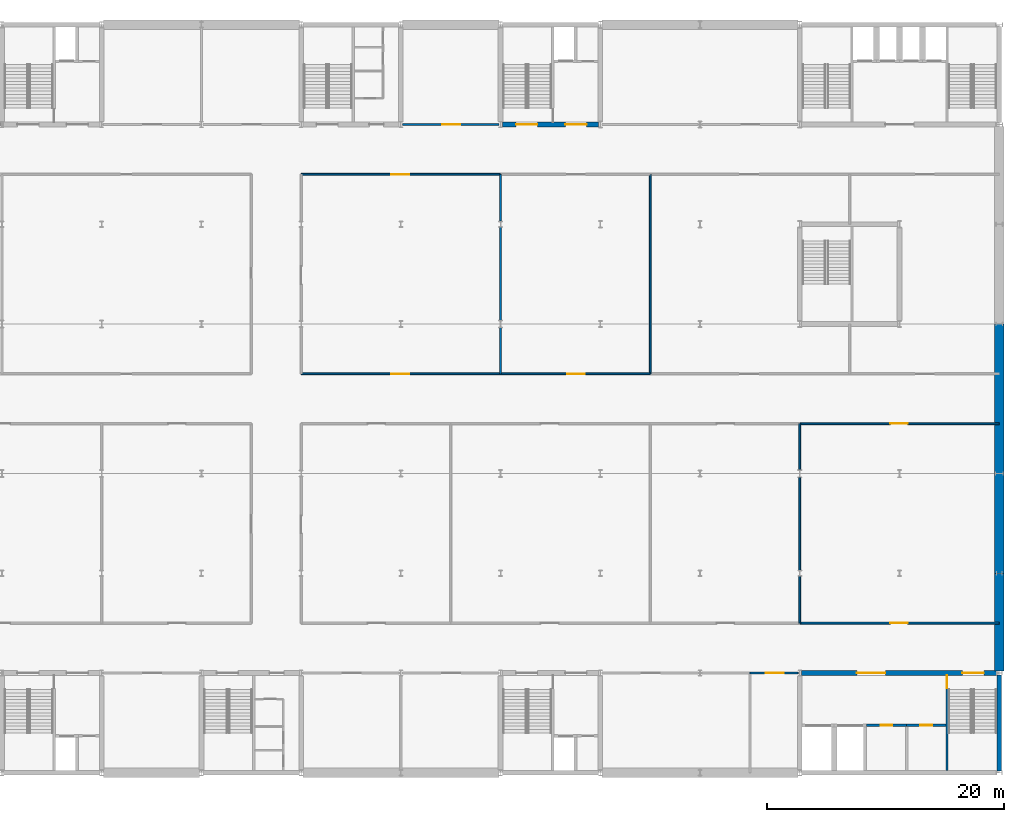
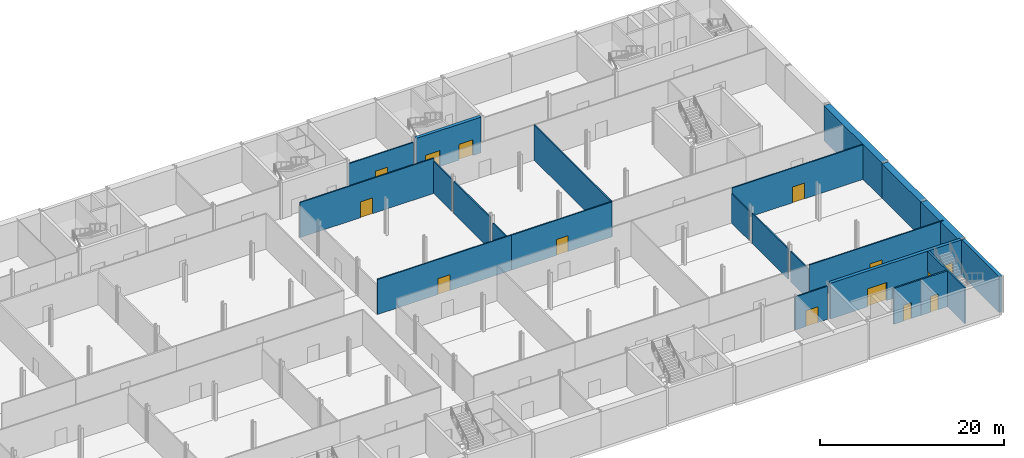
# One storey, part 15 of 20: 23 walls, 14 doors, 14 openings.
"""IFC4 building model written with IfcOpenShell, lengths in metres."""

from ifc_helpers import new_model, si_unit, direction, frame, frame_2d, origin, place, context, subcontext, project, spatial, rectangle, extrude, material, layer, layer_set, type_object, element, fill, save


model = new_model("IFC4")

# Units and contexts
model_context = context("Model", 3, precision=1e-05, world=origin(), true_north=direction((0.0, 1.0)))
body_context = subcontext(model_context, "Body", "Model", "MODEL_VIEW")
ifc_project = project(units=[si_unit("LENGTHUNIT", "METRE"), si_unit("AREAUNIT", "SQUARE_METRE"), si_unit("VOLUMEUNIT", "CUBIC_METRE"), si_unit("PLANEANGLEUNIT", "RADIAN"), si_unit("MASSUNIT", "GRAM", prefix="KILO")], contexts=[model_context])

# Site, building, storey
site_placement = place(None, origin())
site = spatial("IfcSite", under=ifc_project, at=site_placement, CompositionType="ELEMENT")
building_placement = place(site_placement, origin())
building = spatial("IfcBuilding", under=site, at=building_placement, Name="Galleria Vessillo Department Store", CompositionType="ELEMENT")
storey_placement = place(building_placement, frame((0.0, 0.0, -4.89990234375)))
storey = spatial("IfcBuildingStorey", under=building, at=storey_placement, Name="B1", CompositionType="ELEMENT", Elevation=-4.89990234375)

# Walls
ifc_material_1 = material(Name="Concrete C32/40 reinforced", Category="concrete")
ifc_layer_1 = layer(ifc_material_1, 0.800048828125)
ifc_layer_set_1 = layer_set([ifc_layer_1], Name="Concrete C32/40 reinforced")
wall_type_1 = type_object("IfcWallType", Name="Diaphragm wall 800 mm", PredefinedType="SOLIDWALL", material=ifc_layer_set_1)
wall_1_placement = place(storey_placement, frame((117.60009765625, 8.5498046875, 0.0), z_axis=(0.0, 0.0, 1.0), x_axis=(0.0, 1.0, 0.0)))
element("IfcWall", 1, at=wall_1_placement, inside=storey, type_object=wall_type_1, Name="S-BW-E-B1-01", PredefinedType="SOLIDWALL", context=body_context, shape_type="SweptSolid", body=[
    extrude(rectangle(XDim=8.250244140625, YDim=0.800048828125, at=frame_2d((4.125, 0.0))), origin(), (0.0, 0.0, 1.0), 4.599853515625),
])
wall_2_placement = place(storey_placement, frame((117.60009765625, 16.800048828125, 0.0), z_axis=(0.0, 0.0, 1.0), x_axis=(0.0, 1.0, 0.0)))
element("IfcWall", 2, at=wall_2_placement, inside=storey, type_object=wall_type_1, Name="S-BW-E-B1-02", PredefinedType="SOLIDWALL", context=body_context, shape_type="SweptSolid", body=[
    extrude(rectangle(XDim=8.39990234375, YDim=0.800048828125, at=frame_2d((4.199951171875, 0.0))), origin(), (0.0, 0.0, 1.0), 4.599853515625),
])
wall_3_placement = place(storey_placement, frame((117.60009765625, 25.199951171875, 0.0), z_axis=(0.0, 0.0, 1.0), x_axis=(0.0, 1.0, 0.0)))
element("IfcWall", 3, at=wall_3_placement, inside=storey, type_object=wall_type_1, Name="S-BW-E-B1-03", PredefinedType="SOLIDWALL", context=body_context, shape_type="SweptSolid", body=[
    extrude(rectangle(XDim=12.60009765625, YDim=0.800048828125, at=frame_2d((6.300048828125, 0.0))), origin(), (0.0, 0.0, 1.0), 4.64990234375),
])

# Wall, openings, doors
ifc_material_2 = material(Name="Concrete C32/40 reinforced", Category="concrete")
ifc_layer_2 = layer(ifc_material_2, 0.39990234375)
ifc_layer_set_2 = layer_set([ifc_layer_2], Name="Concrete C32/40 reinforced")
wall_type_2 = type_object("IfcWallType", Name="Reinforced concrete core wall 400 mm", PredefinedType="SHEAR", material=ifc_layer_set_2)
wall_4_placement = place(storey_placement, frame((75.75, 54.60009765625, 0.0), z_axis=(0.0, 0.0, 1.0), x_axis=(1.0, 0.0, 0.0)))
wall_4 = element("IfcWall", 4, at=wall_4_placement, inside=storey, type_object=wall_type_2, Name="S-CW-PC-NE-INTERIOR-B1", PredefinedType="SHEAR", context=body_context, shape_type="SweptSolid", body=[
    extrude(rectangle(XDim=8.096923828125, YDim=0.39990234375, at=frame_2d((4.04833984375, 0.0))), origin(), (0.0, 0.0, 1.0), 4.75),
])
opening_1_placement = place(wall_4_placement, frame((1.14990234375, 0.0, 0.0)))
opening_1 = element("IfcOpeningElement", 5, at=opening_1_placement, cuts=wall_4, Name="Opening D5164", PredefinedType="OPENING", context=body_context, shape_type="SweptSolid", body=[
    extrude(rectangle(XDim=1.800048828125, YDim=2.10009765625, at=frame_2d((0.89990234375, 1.050048828125))), frame((0.0, 0.2099609375, 0.0), z_axis=(0.0, -1.0, 0.0), x_axis=(1.0, 0.0, 0.0)), (0.0, 0.0, 1.0), 0.419921875),
])
opening_2_placement = place(wall_4_placement, frame((5.2998046875, 0.0, 0.0)))
opening_2 = element("IfcOpeningElement", 6, at=opening_2_placement, cuts=wall_4, Name="Opening D5165", PredefinedType="OPENING", context=body_context, shape_type="SweptSolid", body=[
    extrude(rectangle(XDim=1.800048828125, YDim=2.10009765625, at=frame_2d((0.89990234375, 1.050048828125))), frame((0.0, 0.2099609375, 0.0), z_axis=(0.0, -1.0, 0.0), x_axis=(1.0, 0.0, 0.0)), (0.0, 0.0, 1.0), 0.419921875),
])
ifc_material_3 = material(Name="Fire-rated steel door leaf", Category="steel")
door_type_1 = type_object("IfcDoorType", Name="Door D180F double leaf 1800 x 2100", OperationType="DOUBLE_DOOR_SINGLE_SWING", PredefinedType="DOOR", material=ifc_material_3)
door_1_placement = place(opening_1_placement, origin())
door_1 = element("IfcDoor", 7, at=door_1_placement, inside=storey, type_object=door_type_1, Name="Lobby door PC-NE-ST-FLOOR B1", OperationType="DOUBLE_DOOR_SINGLE_SWING", OverallHeight=2.10009765625, OverallWidth=1.800048828125, PredefinedType="DOOR", context=body_context, shape_type="SweptSolid", body=[
    extrude(rectangle(XDim=1.800048828125, YDim=2.10009765625, at=frame_2d((0.89990234375, 1.050048828125))), frame((0.0, 0.02490234375, 0.0), z_axis=(0.0, -1.0, 0.0), x_axis=(1.0, 0.0, 0.0)), (0.0, 0.0, 1.0), 0.050048828125),
])
fill(opening_1, door_1)
door_2_placement = place(opening_2_placement, frame((1.800048828125, 0.0, 0.0), z_axis=(0.0, 0.0, 1.0), x_axis=(-1.0, 0.0, 0.0)))
door_2 = element("IfcDoor", 8, at=door_2_placement, inside=storey, type_object=door_type_1, Name="Lobby door PC-NE-LOBBY-FLOOR B1", OperationType="DOUBLE_DOOR_SINGLE_SWING", OverallHeight=2.10009765625, OverallWidth=1.800048828125, PredefinedType="DOOR", context=body_context, shape_type="SweptSolid", body=[
    extrude(rectangle(XDim=1.800048828125, YDim=2.10009765625, at=frame_2d((0.89990234375, 1.050048828125))), frame((0.0, 0.02490234375, 0.0), z_axis=(0.0, -1.0, 0.0), x_axis=(1.0, 0.0, 0.0)), (0.0, 0.0, 1.0), 0.050048828125),
])
fill(opening_2, door_2)

wall_5_placement = place(storey_placement, frame((100.949951171875, 8.39990234375, 0.0), z_axis=(0.0, 0.0, 1.0), x_axis=(1.0, 0.0, 0.0)))
wall_5 = element("IfcWall", 9, at=wall_5_placement, inside=storey, type_object=wall_type_2, Name="S-CW-GC-INTERIOR-B1", PredefinedType="SHEAR", context=body_context, shape_type="SweptSolid", body=[
    extrude(rectangle(XDim=16.400146484375, YDim=0.39990234375, at=frame_2d((8.2001953125, 0.0))), origin(), (0.0, 0.0, 1.0), 4.75),
])
opening_3_placement = place(wall_5_placement, frame((13.5498046875, 0.0, 0.0)))
opening_3 = element("IfcOpeningElement", 10, at=opening_3_placement, cuts=wall_5, Name="Opening D5227", PredefinedType="OPENING", context=body_context, shape_type="SweptSolid", body=[
    extrude(rectangle(XDim=1.800048828125, YDim=2.10009765625, at=frame_2d((0.89990234375, 1.050048828125))), frame((0.0, 0.2099609375, 0.0), z_axis=(0.0, -1.0, 0.0), x_axis=(1.0, 0.0, 0.0)), (0.0, 0.0, 1.0), 0.419921875),
])
opening_4_placement = place(wall_5_placement, frame((4.64990234375, 0.0, 0.0)))
opening_4 = element("IfcOpeningElement", 11, at=opening_4_placement, cuts=wall_5, Name="Opening D5228", PredefinedType="OPENING", context=body_context, shape_type="SweptSolid", body=[
    extrude(rectangle(XDim=2.39990234375, YDim=2.39990234375, at=frame_2d((1.199951171875, 1.199951171875))), frame((0.0, 0.2099609375, 0.0), z_axis=(0.0, -1.0, 0.0), x_axis=(1.0, 0.0, 0.0)), (0.0, 0.0, 1.0), 0.419921875),
])
door_3_placement = place(opening_3_placement, frame((1.800048828125, 0.0, 0.0), z_axis=(0.0, 0.0, 1.0), x_axis=(-1.0, 0.0, 0.0)))
door_3 = element("IfcDoor", 12, at=door_3_placement, inside=storey, type_object=door_type_1, Name="Lobby door GC-ST7-FLOOR B1", OperationType="DOUBLE_DOOR_SINGLE_SWING", OverallHeight=2.10009765625, OverallWidth=1.800048828125, PredefinedType="DOOR", context=body_context, shape_type="SweptSolid", body=[
    extrude(rectangle(XDim=1.800048828125, YDim=2.10009765625, at=frame_2d((0.89990234375, 1.050048828125))), frame((0.0, 0.02490234375, 0.0), z_axis=(0.0, -1.0, 0.0), x_axis=(1.0, 0.0, 0.0)), (0.0, 0.0, 1.0), 0.050048828125),
])
fill(opening_3, door_3)
ifc_material_4 = material(Name="Fire-rated steel door leaf", Category="steel")
door_type_2 = type_object("IfcDoorType", Name="Door D240F double leaf 2400 x 2400", OperationType="DOUBLE_DOOR_SINGLE_SWING", PredefinedType="DOOR", material=ifc_material_4)
door_4_placement = place(opening_4_placement, origin())
door_4 = element("IfcDoor", 13, at=door_4_placement, inside=storey, type_object=door_type_2, Name="Lobby door GC-DOCK B1", OperationType="DOUBLE_DOOR_SINGLE_SWING", OverallHeight=2.39990234375, OverallWidth=2.39990234375, PredefinedType="DOOR", context=body_context, shape_type="SweptSolid", body=[
    extrude(rectangle(XDim=2.39990234375, YDim=2.39990234375, at=frame_2d((1.199951171875, 1.199951171875))), frame((0.0, 0.02490234375, 0.0), z_axis=(0.0, -1.0, 0.0), x_axis=(1.0, 0.0, 0.0)), (0.0, 0.0, 1.0), 0.050048828125),
])
fill(opening_4, door_4)

# Wall
ifc_material_5 = material(Name="Concrete C32/40 reinforced", Category="concrete")
ifc_layer_3 = layer(ifc_material_5, 0.39990234375)
ifc_layer_set_3 = layer_set([ifc_layer_3], Name="Concrete C32/40 reinforced")
wall_type_3 = type_object("IfcWallType", Name="Reinforced concrete core wall 400 mm, external", PredefinedType="SHEAR", material=ifc_layer_set_3)
wall_6_placement = place(storey_placement, frame((117.60009765625, 0.14990234375, 0.0), z_axis=(0.0, 0.0, 1.0), x_axis=(0.0, 1.0, 0.0)))
element("IfcWall", 14, at=wall_6_placement, inside=storey, type_object=wall_type_3, Name="S-CW-GC-EAST-B1", PredefinedType="SHEAR", context=body_context, shape_type="SweptSolid", body=[
    extrude(rectangle(XDim=8.10009765625, YDim=0.39990234375, at=frame_2d((4.050048828125, 0.0))), origin(), (0.0, 0.0, 1.0), 4.75),
])

# Wall, opening, door
ifc_material_6 = material(Name="Concrete C32/40 reinforced", Category="concrete")
ifc_layer_4 = layer(ifc_material_6, 0.199951171875)
ifc_layer_set_4 = layer_set([ifc_layer_4], Name="Concrete C32/40 reinforced")
wall_type_4 = type_object("IfcWallType", Name="Reinforced concrete stair enclosure wall 200 mm", PredefinedType="SHEAR", material=ifc_layer_set_4)
wall_7_placement = place(storey_placement, frame((113.199951171875, 0.199951171875, 0.0), z_axis=(0.0, 0.0, 1.0), x_axis=(0.0, 1.0, 0.0)))
wall_7 = element("IfcWall", 15, at=wall_7_placement, inside=storey, type_object=wall_type_4, Name="Stair enclosure wall GC B1", PredefinedType="SHEAR", context=body_context, shape_type="SweptSolid", body=[
    extrude(rectangle(XDim=8.0, YDim=0.199951171875, at=frame_2d((4.0, 0.0))), origin(), (0.0, 0.0, 1.0), 4.75),
])
opening_5_placement = place(wall_7_placement, frame((6.89990234375, 0.0, 0.0)))
opening_5 = element("IfcOpeningElement", 16, at=opening_5_placement, cuts=wall_7, Name="Opening D5224", PredefinedType="OPENING", context=body_context, shape_type="SweptSolid", body=[
    extrude(rectangle(XDim=1.11009765625, YDim=2.10009765625, at=frame_2d((0.554931640625, 1.050048828125))), frame((0.0, 0.10986328125, 0.0), z_axis=(0.0, -1.0, 0.0), x_axis=(1.0, 0.0, 0.0)), (0.0, 0.0, 1.0), 0.219970703125),
])
ifc_material_7 = material(Name="Fire-rated steel door leaf", Category="steel")
door_type_3 = type_object("IfcDoorType", Name="Door D110F stair door 1100 x 2100", OperationType="SINGLE_SWING_LEFT", PredefinedType="DOOR", material=ifc_material_7)
door_5_placement = place(opening_5_placement, frame((1.10009765625, 0.0, 0.0), z_axis=(0.0, 0.0, 1.0), x_axis=(-1.0, 0.0, 0.0)))
door_5 = element("IfcDoor", 17, at=door_5_placement, inside=storey, type_object=door_type_3, Name="Stair door GC-ST7-LOBBY B1", OperationType="SINGLE_SWING_LEFT", OverallHeight=2.10009765625, OverallWidth=1.10009765625, PredefinedType="DOOR", context=body_context, shape_type="SweptSolid", body=[
    extrude(rectangle(XDim=1.10009765625, YDim=2.10009765625, at=frame_2d((0.550048828125, 1.050048828125))), frame((0.0, 0.02490234375, 0.0), z_axis=(0.0, -1.0, 0.0), x_axis=(1.0, 0.0, 0.0)), (0.0, 0.0, 1.0), 0.050048828125),
])
fill(opening_5, door_5)

ifc_material_8 = material(Name="Hollow clay block masonry", Category="masonry")
ifc_layer_5 = layer(ifc_material_8, 0.199951171875)
ifc_layer_set_5 = layer_set([ifc_layer_5], Name="Hollow clay block masonry")
wall_type_5 = type_object("IfcWallType", Name="Riser and service room wall 200 mm", PredefinedType="PARTITIONING", material=ifc_layer_set_5)
wall_8_placement = place(storey_placement, frame((106.39990234375, 4.0, 0.0), z_axis=(0.0, 0.0, 1.0), x_axis=(1.0, 0.0, 0.0)))
wall_8 = element("IfcWall", 18, at=wall_8_placement, inside=storey, type_object=wall_type_5, Name="Service room wall GC-SERVICE-1 B1", PredefinedType="PARTITIONING", context=body_context, shape_type="SweptSolid", body=[
    extrude(rectangle(XDim=3.400146484375, YDim=0.199951171875, at=frame_2d((1.7001953125, 0.0))), origin(), (0.0, 0.0, 1.0), 4.75),
])
opening_6_placement = place(wall_8_placement, frame((1.2001953125, 0.0, 0.0)))
opening_6 = element("IfcOpeningElement", 19, at=opening_6_placement, cuts=wall_8, Name="Opening D5225", PredefinedType="OPENING", context=body_context, shape_type="SweptSolid", body=[
    extrude(rectangle(XDim=1.0, YDim=2.10009765625, at=frame_2d((0.5, 1.050048828125))), frame((0.0, 0.10986328125, 0.0), z_axis=(0.0, -1.0, 0.0), x_axis=(1.0, 0.0, 0.0)), (0.0, 0.0, 1.0), 0.219970703125),
])
ifc_material_9 = material(Name="Fire-rated steel door leaf", Category="steel")
door_type_4 = type_object("IfcDoorType", Name="Door D100 service room 1000 x 2100", OperationType="SINGLE_SWING_LEFT", PredefinedType="DOOR", material=ifc_material_9)
door_6_placement = place(opening_6_placement, frame((1.0, 0.0, 0.0), z_axis=(0.0, 0.0, 1.0), x_axis=(-1.0, 0.0, 0.0)))
door_6 = element("IfcDoor", 20, at=door_6_placement, inside=storey, type_object=door_type_4, Name="Service room door GC-SERVICE-1 B1", OperationType="SINGLE_SWING_LEFT", OverallHeight=2.10009765625, OverallWidth=1.0, PredefinedType="DOOR", context=body_context, shape_type="SweptSolid", body=[
    extrude(rectangle(XDim=1.0, YDim=2.10009765625, at=frame_2d((0.5, 1.050048828125))), frame((0.0, 0.02490234375, 0.0), z_axis=(0.0, -1.0, 0.0), x_axis=(1.0, 0.0, 0.0)), (0.0, 0.0, 1.0), 0.050048828125),
])
fill(opening_6, door_6)

wall_9_placement = place(storey_placement, frame((109.800048828125, 4.0, 0.0), z_axis=(0.0, 0.0, 1.0), x_axis=(1.0, 0.0, 0.0)))
wall_9 = element("IfcWall", 21, at=wall_9_placement, inside=storey, type_object=wall_type_5, Name="Service room wall GC-SERVICE-2 B1", PredefinedType="PARTITIONING", context=body_context, shape_type="SweptSolid", body=[
    extrude(rectangle(XDim=3.300048828125, YDim=0.199951171875, at=frame_2d((1.64990234375, 0.0))), origin(), (0.0, 0.0, 1.0), 4.75),
])
opening_7_placement = place(wall_9_placement, frame((1.14990234375, 0.0, 0.0)))
opening_7 = element("IfcOpeningElement", 22, at=opening_7_placement, cuts=wall_9, Name="Opening D5226", PredefinedType="OPENING", context=body_context, shape_type="SweptSolid", body=[
    extrude(rectangle(XDim=1.0, YDim=2.10009765625, at=frame_2d((0.5, 1.050048828125))), frame((0.0, 0.10986328125, 0.0), z_axis=(0.0, -1.0, 0.0), x_axis=(1.0, 0.0, 0.0)), (0.0, 0.0, 1.0), 0.219970703125),
])
door_7_placement = place(opening_7_placement, frame((1.0, 0.0, 0.0), z_axis=(0.0, 0.0, 1.0), x_axis=(-1.0, 0.0, 0.0)))
door_7 = element("IfcDoor", 23, at=door_7_placement, inside=storey, type_object=door_type_4, Name="Service room door GC-SERVICE-2 B1", OperationType="SINGLE_SWING_RIGHT", OverallHeight=2.10009765625, OverallWidth=1.0, PredefinedType="DOOR", context=body_context, shape_type="SweptSolid", body=[
    extrude(rectangle(XDim=1.0, YDim=2.10009765625, at=frame_2d((0.5, 1.050048828125))), frame((0.0, 0.02490234375, 0.0), z_axis=(0.0, -1.0, 0.0), x_axis=(1.0, 0.0, 0.0)), (0.0, 0.0, 1.0), 0.050048828125),
])
fill(opening_7, door_7)

ifc_material_10 = material(Name="Concrete blockwork", Category="masonry")
ifc_layer_6 = layer(ifc_material_10, 0.14990234375)
ifc_layer_set_6 = layer_set([ifc_layer_6], Name="Concrete blockwork")
wall_type_6 = type_object("IfcWallType", Name="Stockroom blockwork wall 150 mm", PredefinedType="SOLIDWALL", material=ifc_layer_set_6)
wall_10_placement = place(storey_placement, frame((96.60009765625, 8.39990234375, 0.0), z_axis=(0.0, 0.0, 1.0), x_axis=(1.0, 0.0, 0.0)))
wall_10 = element("IfcWall", 24, at=wall_10_placement, inside=storey, type_object=wall_type_6, Name="Partition wall PT4 on B1 no. 022", PredefinedType="SOLIDWALL", context=body_context, shape_type="SweptSolid", body=[
    extrude(rectangle(XDim=4.050048828125, YDim=0.14990234375, at=frame_2d((2.02490234375, 0.0))), origin(), (0.0, 0.0, 1.0), 4.39990234375),
])
opening_8_placement = place(wall_10_placement, frame((1.35009765625, 0.0, 0.0)))
opening_8 = element("IfcOpeningElement", 25, at=opening_8_placement, cuts=wall_10, Name="Opening D2114", PredefinedType="OPENING", context=body_context, shape_type="SweptSolid", body=[
    extrude(rectangle(XDim=1.5, YDim=2.10009765625, at=frame_2d((0.75, 1.050048828125))), frame((0.0, 0.0849609375, 0.0), z_axis=(0.0, -1.0, 0.0), x_axis=(1.0, 0.0, 0.0)), (0.0, 0.0, 1.0), 0.169921875),
])
ifc_material_11 = material(Name="Steel fire door leaf", Category="steel")
door_type_5 = type_object("IfcDoorType", Name="Stockroom fire door 1500 double leaf", OperationType="DOUBLE_DOOR_SINGLE_SWING", PredefinedType="DOOR", material=ifc_material_11)
door_8_placement = place(opening_8_placement, frame((1.5, 0.0, 0.0), z_axis=(0.0, 0.0, 1.0), x_axis=(-1.0, 0.0, 0.0)))
door_8 = element("IfcDoor", 26, at=door_8_placement, inside=storey, type_object=door_type_5, Name="Door D2114", OperationType="DOUBLE_DOOR_SINGLE_SWING", OverallHeight=2.10009765625, OverallWidth=1.5, PredefinedType="DOOR", context=body_context, shape_type="SweptSolid", body=[
    extrude(rectangle(XDim=1.5, YDim=2.10009765625, at=frame_2d((0.75, 1.050048828125))), frame((0.0, 0.02490234375, 0.0), z_axis=(0.0, -1.0, 0.0), x_axis=(1.0, 0.0, 0.0)), (0.0, 0.0, 1.0), 0.050048828125),
])
fill(opening_8, door_8)

wall_11_placement = place(storey_placement, frame((100.800048828125, 12.60009765625, 0.0), z_axis=(0.0, 0.0, 1.0), x_axis=(1.0, 0.0, 0.0)))
wall_11 = element("IfcWall", 27, at=wall_11_placement, inside=storey, type_object=wall_type_6, Name="Partition wall PT4 on B1 no. 030", PredefinedType="SOLIDWALL", context=body_context, shape_type="SweptSolid", body=[
    extrude(rectangle(XDim=16.800048828125, YDim=0.14990234375, at=frame_2d((8.39990234375, 0.0))), origin(), (0.0, 0.0, 1.0), 4.599853515625),
])
opening_9_placement = place(wall_11_placement, frame((7.60009765625, 0.0, 0.0)))
opening_9 = element("IfcOpeningElement", 28, at=opening_9_placement, cuts=wall_11, Name="Opening D2122", PredefinedType="OPENING", context=body_context, shape_type="SweptSolid", body=[
    extrude(rectangle(XDim=1.5, YDim=2.10009765625, at=frame_2d((0.75, 1.050048828125))), frame((0.0, 0.0849609375, 0.0), z_axis=(0.0, -1.0, 0.0), x_axis=(1.0, 0.0, 0.0)), (0.0, 0.0, 1.0), 0.169921875),
])
door_9_placement = place(opening_9_placement, frame((1.5, 0.0, 0.0), z_axis=(0.0, 0.0, 1.0), x_axis=(-1.0, 0.0, 0.0)))
door_9 = element("IfcDoor", 29, at=door_9_placement, inside=storey, type_object=door_type_5, Name="Door D2122", OperationType="DOUBLE_DOOR_SINGLE_SWING", OverallHeight=2.10009765625, OverallWidth=1.5, PredefinedType="DOOR", context=body_context, shape_type="SweptSolid", body=[
    extrude(rectangle(XDim=1.5, YDim=2.10009765625, at=frame_2d((0.75, 1.050048828125))), frame((0.0, 0.02490234375, 0.0), z_axis=(0.0, -1.0, 0.0), x_axis=(1.0, 0.0, 0.0)), (0.0, 0.0, 1.0), 0.050048828125),
])
fill(opening_9, door_9)

wall_12_placement = place(storey_placement, frame((100.800048828125, 29.39990234375, 0.0), z_axis=(0.0, 0.0, 1.0), x_axis=(1.0, 0.0, 0.0)))
wall_12 = element("IfcWall", 30, at=wall_12_placement, inside=storey, type_object=wall_type_6, Name="Partition wall PT4 on B1 no. 038", PredefinedType="SOLIDWALL", context=body_context, shape_type="SweptSolid", body=[
    extrude(rectangle(XDim=16.800048828125, YDim=0.14990234375, at=frame_2d((8.39990234375, 0.0))), origin(), (0.0, 0.0, 1.0), 4.599853515625),
])
opening_10_placement = place(wall_12_placement, frame((7.60009765625, 0.0, 0.0)))
opening_10 = element("IfcOpeningElement", 31, at=opening_10_placement, cuts=wall_12, Name="Opening D2130", PredefinedType="OPENING", context=body_context, shape_type="SweptSolid", body=[
    extrude(rectangle(XDim=1.5, YDim=2.10009765625, at=frame_2d((0.75, 1.050048828125))), frame((0.0, 0.0849609375, 0.0), z_axis=(0.0, -1.0, 0.0), x_axis=(1.0, 0.0, 0.0)), (0.0, 0.0, 1.0), 0.169921875),
])
door_10_placement = place(opening_10_placement, origin())
door_10 = element("IfcDoor", 32, at=door_10_placement, inside=storey, type_object=door_type_5, Name="Door D2130", OperationType="DOUBLE_DOOR_SINGLE_SWING", OverallHeight=2.10009765625, OverallWidth=1.5, PredefinedType="DOOR", context=body_context, shape_type="SweptSolid", body=[
    extrude(rectangle(XDim=1.5, YDim=2.10009765625, at=frame_2d((0.75, 1.050048828125))), frame((0.0, 0.02490234375, 0.0), z_axis=(0.0, -1.0, 0.0), x_axis=(1.0, 0.0, 0.0)), (0.0, 0.0, 1.0), 0.050048828125),
])
fill(opening_10, door_10)

wall_13_placement = place(storey_placement, frame((58.800048828125, 33.60009765625, 0.0), z_axis=(0.0, 0.0, 1.0), x_axis=(1.0, 0.0, 0.0)))
wall_13 = element("IfcWall", 33, at=wall_13_placement, inside=storey, type_object=wall_type_6, Name="Partition wall PT4 on B1 no. 043", PredefinedType="SOLIDWALL", context=body_context, shape_type="SweptSolid", body=[
    extrude(rectangle(XDim=16.800048828125, YDim=0.14990234375, at=frame_2d((8.39990234375, 0.0))), origin(), (0.0, 0.0, 1.0), 4.64990234375),
])
opening_11_placement = place(wall_13_placement, frame((7.60009765625, 0.0, 0.0)))
opening_11 = element("IfcOpeningElement", 34, at=opening_11_placement, cuts=wall_13, Name="Opening D2133", PredefinedType="OPENING", context=body_context, shape_type="SweptSolid", body=[
    extrude(rectangle(XDim=1.5, YDim=2.10009765625, at=frame_2d((0.75, 1.050048828125))), frame((0.0, 0.0849609375, 0.0), z_axis=(0.0, -1.0, 0.0), x_axis=(1.0, 0.0, 0.0)), (0.0, 0.0, 1.0), 0.169921875),
])
door_11_placement = place(opening_11_placement, origin())
door_11 = element("IfcDoor", 35, at=door_11_placement, inside=storey, type_object=door_type_5, Name="Door D2133", OperationType="DOUBLE_DOOR_SINGLE_SWING", OverallHeight=2.10009765625, OverallWidth=1.5, PredefinedType="DOOR", context=body_context, shape_type="SweptSolid", body=[
    extrude(rectangle(XDim=1.5, YDim=2.10009765625, at=frame_2d((0.75, 1.050048828125))), frame((0.0, 0.02490234375, 0.0), z_axis=(0.0, -1.0, 0.0), x_axis=(1.0, 0.0, 0.0)), (0.0, 0.0, 1.0), 0.050048828125),
])
fill(opening_11, door_11)

wall_14_placement = place(storey_placement, frame((75.60009765625, 33.60009765625, 0.0), z_axis=(0.0, 0.0, 1.0), x_axis=(1.0, 0.0, 0.0)))
wall_14 = element("IfcWall", 36, at=wall_14_placement, inside=storey, type_object=wall_type_6, Name="Partition wall PT4 on B1 no. 044", PredefinedType="SOLIDWALL", context=body_context, shape_type="SweptSolid", body=[
    extrude(rectangle(XDim=12.599853515625, YDim=0.14990234375, at=frame_2d((6.2998046875, 0.0))), origin(), (0.0, 0.0, 1.0), 4.64990234375),
])
opening_12_placement = place(wall_14_placement, frame((5.60009765625, 0.0, 0.0)))
opening_12 = element("IfcOpeningElement", 37, at=opening_12_placement, cuts=wall_14, Name="Opening D2134", PredefinedType="OPENING", context=body_context, shape_type="SweptSolid", body=[
    extrude(rectangle(XDim=1.5, YDim=2.10009765625, at=frame_2d((0.75, 1.050048828125))), frame((0.0, 0.0849609375, 0.0), z_axis=(0.0, -1.0, 0.0), x_axis=(1.0, 0.0, 0.0)), (0.0, 0.0, 1.0), 0.169921875),
])
door_12_placement = place(opening_12_placement, origin())
door_12 = element("IfcDoor", 38, at=door_12_placement, inside=storey, type_object=door_type_5, Name="Door D2134", OperationType="DOUBLE_DOOR_SINGLE_SWING", OverallHeight=2.10009765625, OverallWidth=1.5, PredefinedType="DOOR", context=body_context, shape_type="SweptSolid", body=[
    extrude(rectangle(XDim=1.5, YDim=2.10009765625, at=frame_2d((0.75, 1.050048828125))), frame((0.0, 0.02490234375, 0.0), z_axis=(0.0, -1.0, 0.0), x_axis=(1.0, 0.0, 0.0)), (0.0, 0.0, 1.0), 0.050048828125),
])
fill(opening_12, door_12)

wall_15_placement = place(storey_placement, frame((58.800048828125, 50.39990234375, 0.0), z_axis=(0.0, 0.0, 1.0), x_axis=(1.0, 0.0, 0.0)))
wall_15 = element("IfcWall", 39, at=wall_15_placement, inside=storey, type_object=wall_type_6, Name="Partition wall PT4 on B1 no. 051", PredefinedType="SOLIDWALL", context=body_context, shape_type="SweptSolid", body=[
    extrude(rectangle(XDim=16.800048828125, YDim=0.14990234375, at=frame_2d((8.39990234375, 0.0))), origin(), (0.0, 0.0, 1.0), 4.64990234375),
])
opening_13_placement = place(wall_15_placement, frame((7.60009765625, 0.0, 0.0)))
opening_13 = element("IfcOpeningElement", 40, at=opening_13_placement, cuts=wall_15, Name="Opening D2139", PredefinedType="OPENING", context=body_context, shape_type="SweptSolid", body=[
    extrude(rectangle(XDim=1.5, YDim=2.10009765625, at=frame_2d((0.75, 1.050048828125))), frame((0.0, 0.0849609375, 0.0), z_axis=(0.0, -1.0, 0.0), x_axis=(1.0, 0.0, 0.0)), (0.0, 0.0, 1.0), 0.169921875),
])
door_13_placement = place(opening_13_placement, frame((1.5, 0.0, 0.0), z_axis=(0.0, 0.0, 1.0), x_axis=(-1.0, 0.0, 0.0)))
door_13 = element("IfcDoor", 41, at=door_13_placement, inside=storey, type_object=door_type_5, Name="Door D2139", OperationType="DOUBLE_DOOR_SINGLE_SWING", OverallHeight=2.10009765625, OverallWidth=1.5, PredefinedType="DOOR", context=body_context, shape_type="SweptSolid", body=[
    extrude(rectangle(XDim=1.5, YDim=2.10009765625, at=frame_2d((0.75, 1.050048828125))), frame((0.0, 0.02490234375, 0.0), z_axis=(0.0, -1.0, 0.0), x_axis=(1.0, 0.0, 0.0)), (0.0, 0.0, 1.0), 0.050048828125),
])
fill(opening_13, door_13)

wall_16_placement = place(storey_placement, frame((67.349853515625, 54.60009765625, 0.0), z_axis=(0.0, 0.0, 1.0), x_axis=(1.0, 0.0, 0.0)))
wall_16 = element("IfcWall", 42, at=wall_16_placement, inside=storey, type_object=wall_type_6, Name="Partition wall PT4 on B1 no. 062", PredefinedType="SOLIDWALL", context=body_context, shape_type="SweptSolid", body=[
    extrude(rectangle(XDim=8.100341796875, YDim=0.14990234375, at=frame_2d((4.05029296875, 0.0))), origin(), (0.0, 0.0, 1.0), 4.259765625),
])
opening_14_placement = place(wall_16_placement, frame((3.35009765625, 0.0, 0.0)))
opening_14 = element("IfcOpeningElement", 43, at=opening_14_placement, cuts=wall_16, Name="Opening D2149", PredefinedType="OPENING", context=body_context, shape_type="SweptSolid", body=[
    extrude(rectangle(XDim=1.5, YDim=2.10009765625, at=frame_2d((0.75, 1.050048828125))), frame((0.0, 0.0849609375, 0.0), z_axis=(0.0, -1.0, 0.0), x_axis=(1.0, 0.0, 0.0)), (0.0, 0.0, 1.0), 0.169921875),
])
door_14_placement = place(opening_14_placement, origin())
door_14 = element("IfcDoor", 44, at=door_14_placement, inside=storey, type_object=door_type_5, Name="Door D2149", OperationType="DOUBLE_DOOR_SINGLE_SWING", OverallHeight=2.10009765625, OverallWidth=1.5, PredefinedType="DOOR", context=body_context, shape_type="SweptSolid", body=[
    extrude(rectangle(XDim=1.5, YDim=2.10009765625, at=frame_2d((0.75, 1.050048828125))), frame((0.0, 0.02490234375, 0.0), z_axis=(0.0, -1.0, 0.0), x_axis=(1.0, 0.0, 0.0)), (0.0, 0.0, 1.0), 0.050048828125),
])
fill(opening_14, door_14)

# Walls
wall_17_placement = place(storey_placement, frame((100.800048828125, 12.60009765625, 0.0), z_axis=(0.0, 0.0, 1.0), x_axis=(0.0, 1.0, 0.0)))
element("IfcWall", 45, at=wall_17_placement, inside=storey, type_object=wall_type_6, Name="Partition wall PT4 on B1 no. 087", PredefinedType="SOLIDWALL", context=body_context, shape_type="SweptSolid", body=[
    extrude(rectangle(XDim=3.949951171875, YDim=0.14990234375, at=frame_2d((1.97509765625, 0.0))), origin(), (0.0, 0.0, 1.0), 4.010009765625),
])
wall_18_placement = place(storey_placement, frame((100.800048828125, 17.050048828125, 0.0), z_axis=(0.0, 0.0, 1.0), x_axis=(0.0, 1.0, 0.0)))
element("IfcWall", 46, at=wall_18_placement, inside=storey, type_object=wall_type_6, Name="Partition wall PT4 on B1 no. 088", PredefinedType="SOLIDWALL", context=body_context, shape_type="SweptSolid", body=[
    extrude(rectangle(XDim=7.81591796875, YDim=0.14990234375, at=frame_2d((3.907958984375, 0.0))), origin(), (0.0, 0.0, 1.0), 4.010009765625),
])
wall_19_placement = place(storey_placement, frame((100.800048828125, 25.533935546875, 0.0), z_axis=(0.0, 0.0, 1.0), x_axis=(0.0, 1.0, 0.0)))
element("IfcWall", 47, at=wall_19_placement, inside=storey, type_object=wall_type_6, Name="Partition wall PT4 on B1 no. 089", PredefinedType="SOLIDWALL", context=body_context, shape_type="SweptSolid", body=[
    extrude(rectangle(XDim=3.865966796875, YDim=0.14990234375, at=frame_2d((1.93310546875, 0.0))), origin(), (0.0, 0.0, 1.0), 3.85986328125),
])
wall_20_placement = place(storey_placement, frame((75.60009765625, 33.60009765625, 0.0), z_axis=(0.0, 0.0, 1.0), x_axis=(0.0, 1.0, 0.0)))
element("IfcWall", 48, at=wall_20_placement, inside=storey, type_object=wall_type_6, Name="Partition wall PT4 on B1 no. 094", PredefinedType="SOLIDWALL", context=body_context, shape_type="SweptSolid", body=[
    extrude(rectangle(XDim=3.889892578125, YDim=0.14990234375, at=frame_2d((1.94482421875, 0.0))), origin(), (0.0, 0.0, 1.0), 3.85986328125),
])
wall_21_placement = place(storey_placement, frame((75.60009765625, 38.110107421875, 0.0), z_axis=(0.0, 0.0, 1.0), x_axis=(0.0, 1.0, 0.0)))
element("IfcWall", 49, at=wall_21_placement, inside=storey, type_object=wall_type_6, Name="Partition wall PT4 on B1 no. 095", PredefinedType="SOLIDWALL", context=body_context, shape_type="SweptSolid", body=[
    extrude(rectangle(XDim=7.83984375, YDim=0.14990234375, at=frame_2d((3.919921875, 0.0))), origin(), (0.0, 0.0, 1.0), 4.259765625),
])
wall_22_placement = place(storey_placement, frame((75.60009765625, 46.449951171875, 0.0), z_axis=(0.0, 0.0, 1.0), x_axis=(0.0, 1.0, 0.0)))
element("IfcWall", 50, at=wall_22_placement, inside=storey, type_object=wall_type_6, Name="Partition wall PT4 on B1 no. 096", PredefinedType="SOLIDWALL", context=body_context, shape_type="SweptSolid", body=[
    extrude(rectangle(XDim=3.949951171875, YDim=0.14990234375, at=frame_2d((1.97509765625, 0.0))), origin(), (0.0, 0.0, 1.0), 4.259765625),
])
wall_23_placement = place(storey_placement, frame((88.199951171875, 33.60009765625, 0.0), z_axis=(0.0, 0.0, 1.0), x_axis=(0.0, 1.0, 0.0)))
element("IfcWall", 51, at=wall_23_placement, inside=storey, type_object=wall_type_6, Name="Partition wall PT4 on B1 no. 097", PredefinedType="SOLIDWALL", context=body_context, shape_type="SweptSolid", body=[
    extrude(rectangle(XDim=16.7998046875, YDim=0.14990234375, at=frame_2d((8.39990234375, 0.0))), origin(), (0.0, 0.0, 1.0), 4.64990234375),
])

save(model, "model.ifc")
